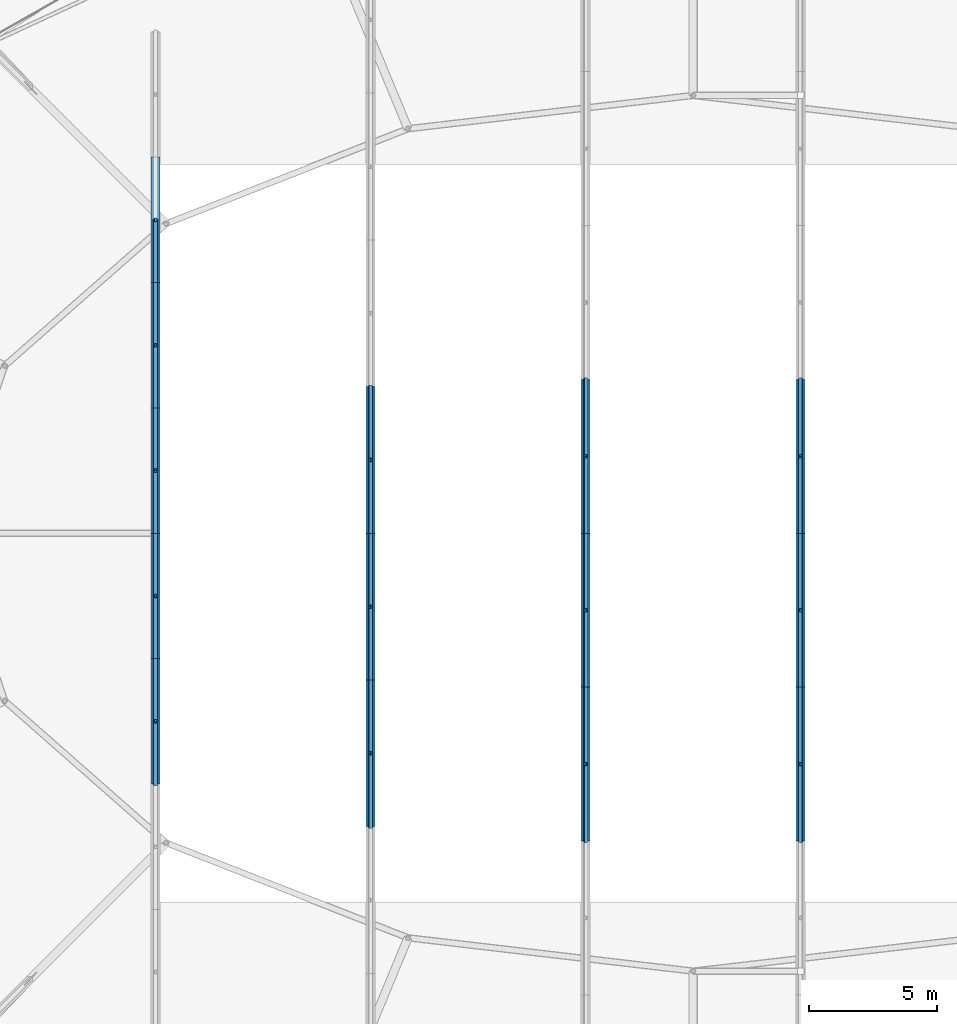
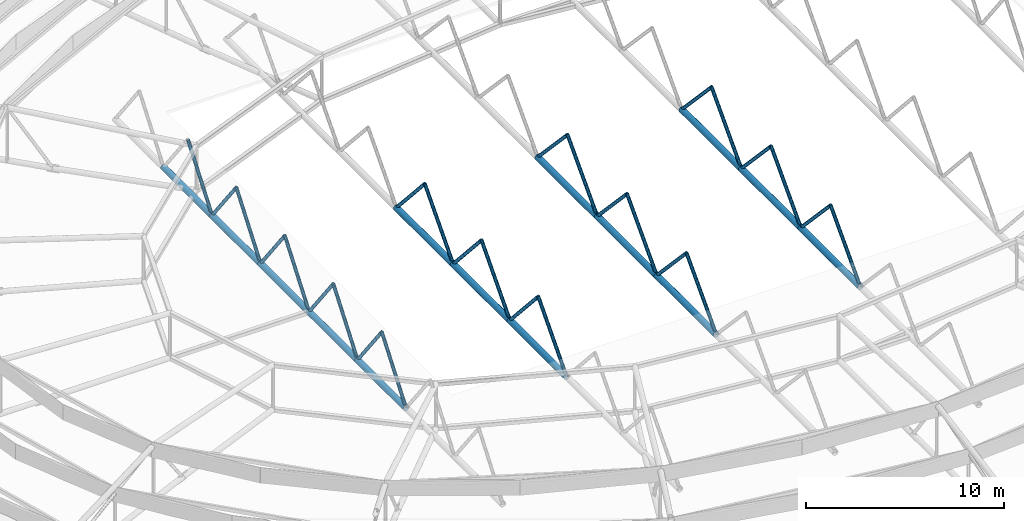
# One storey, part 23 of 134: 41 members.
"""IFC4 building model written with IfcOpenShell, lengths in metres."""

from ifc_helpers import new_model, si_unit, derived_unit, direction, frame, origin, origin_2d, place, context, subcontext, project, spatial, hollow_circle, extrude, material, material_profile, profile_set, type_object, element, save


model = new_model("IFC4")

# Units and contexts
model_context = context("Model", 3, precision=1e-05, world=origin(), true_north=direction((0.0, 1.0)))
body_context = subcontext(model_context, "Body", "Model", "MODEL_VIEW")
ifc_project = project(units=[si_unit("LENGTHUNIT", "METRE"), si_unit("AREAUNIT", "SQUARE_METRE"), si_unit("VOLUMEUNIT", "CUBIC_METRE"), si_unit("PLANEANGLEUNIT", "RADIAN"), si_unit("MASSUNIT", "GRAM", prefix="KILO"), derived_unit("THERMALTRANSMITTANCEUNIT", [(si_unit("MASSUNIT", "GRAM", prefix="KILO"), 1), (si_unit("TIMEUNIT", "SECOND"), -3), (si_unit("THERMODYNAMICTEMPERATUREUNIT", "KELVIN"), -1)])], contexts=[model_context])

# Site, building, storey
site_placement = place(None, origin())
site = spatial("IfcSite", under=ifc_project, at=site_placement, CompositionType="ELEMENT")
building_placement = place(site_placement, origin())
building = spatial("IfcBuilding", under=site, at=building_placement, Name="Kharveza Railside Sports Centre", CompositionType="ELEMENT")
storey_placement = place(building_placement, frame((0.0, 0.0, 12.89990234375)))
storey = spatial("IfcBuildingStorey", under=building, at=storey_placement, Name="L03", CompositionType="ELEMENT", Elevation=12.89990234375)

# Members
ifc_material = material(Name="Steel S355J2", Category="steel")
ifc_material_profile_1 = material_profile(ifc_material, hollow_circle(Radius=0.177734375, WallThickness=0.01611328125, at=origin_2d()), Name="CHS 355.6x16.0")
ifc_profile_set_1 = profile_set([ifc_material_profile_1], Name="Steel S355J2")
member_type_1 = type_object("IfcMemberType", Name="MB-CH01", PredefinedType="CHORD", material=ifc_profile_set_1)
member_1_placement = place(storey_placement, frame((33.60009765625, 40.606689453125, -0.0498046875), z_axis=(0.0, 1.0, 0.0), x_axis=(-1.0, 0.0, 0.0)))
element("IfcMember", 1, at=member_1_placement, inside=storey, type_object=member_type_1, Name="MB-V1TR-BC-1-3", PredefinedType="CHORD", context=body_context, shape_type="SweptSolid", body=[
    extrude(hollow_circle(Radius=0.177734375, WallThickness=0.01611328125, at=origin_2d()), origin(), (0.0, 0.0, 1.0), 4.896728515625),
])
member_2_placement = place(storey_placement, frame((33.60009765625, 45.50341796875, -0.0498046875), z_axis=(0.0, 1.0, 0.0), x_axis=(-1.0, 0.0, 0.0)))
element("IfcMember", 2, at=member_2_placement, inside=storey, type_object=member_type_1, Name="MB-V1TR-BC-1-4", PredefinedType="CHORD", context=body_context, shape_type="SweptSolid", body=[
    extrude(hollow_circle(Radius=0.177734375, WallThickness=0.01611328125, at=origin_2d()), origin(), (0.0, 0.0, 1.0), 4.896484375),
])
for number, where, z_axis, x_axis, name in (
    (3, (33.60009765625, 50.39990234375, -0.0498046875), (0.0, 1.0, 0.0), (-1.0, 0.0, 0.0), "MB-V1TR-BC-1-5"),
    (4, (33.60009765625, 55.296630859375, -0.0498046875), (0.0, 1.0, 0.0), (-1.0, 0.0, 0.0), "MB-V1TR-BC-1-6"),
):
    element("IfcMember", number, at=place(storey_placement, frame(where, z_axis=z_axis, x_axis=x_axis)), inside=storey, type_object=member_type_1, Name=name, PredefinedType="CHORD", context=body_context, shape_type="SweptSolid", body=[
        extrude(hollow_circle(Radius=0.177734375, WallThickness=0.01611328125, at=origin_2d()), origin(), (0.0, 0.0, 1.0), 4.896728515625),
    ])
member_3_placement = place(storey_placement, frame((33.60009765625, 60.193359375, -0.0498046875), z_axis=(0.0, 1.0, 0.0), x_axis=(-1.0, 0.0, 0.0)))
element("IfcMember", 5, at=member_3_placement, inside=storey, type_object=member_type_1, Name="MB-V1TR-BC-1-7", PredefinedType="CHORD", context=body_context, shape_type="SweptSolid", body=[
    extrude(hollow_circle(Radius=0.177734375, WallThickness=0.01611328125, at=origin_2d()), origin(), (0.0, 0.0, 1.0), 4.896484375),
])
for number, where, z_axis, x_axis, name in (
    (6, (42.0, 38.9423828125, -0.0498046875), (0.0, 1.0, 0.0), (-1.0, 0.0, 0.0), "MB-V1TR-BC-2-3"),
    (7, (42.0, 44.671142578125, -0.0498046875), (0.0, 1.0, 0.0), (-1.0, 0.0, 0.0), "MB-V1TR-BC-2-4"),
):
    element("IfcMember", number, at=place(storey_placement, frame(where, z_axis=z_axis, x_axis=x_axis)), inside=storey, type_object=member_type_1, Name=name, PredefinedType="CHORD", context=body_context, shape_type="SweptSolid", body=[
        extrude(hollow_circle(Radius=0.177734375, WallThickness=0.01611328125, at=origin_2d()), origin(), (0.0, 0.0, 1.0), 5.728759765625),
    ])
member_4_placement = place(storey_placement, frame((42.0, 50.39990234375, -0.0498046875), z_axis=(0.0, 1.0, 0.0), x_axis=(-1.0, 0.0, 0.0)))
element("IfcMember", 8, at=member_4_placement, inside=storey, type_object=member_type_1, Name="MB-V1TR-BC-2-5", PredefinedType="CHORD", context=body_context, shape_type="SweptSolid", body=[
    extrude(hollow_circle(Radius=0.177734375, WallThickness=0.01611328125, at=origin_2d()), origin(), (0.0, 0.0, 1.0), 5.72900390625),
])
member_5_placement = place(storey_placement, frame((50.39990234375, 38.380615234375, -0.0498046875), z_axis=(0.0, 1.0, 0.0), x_axis=(-1.0, 0.0, 0.0)))
element("IfcMember", 9, at=member_5_placement, inside=storey, type_object=member_type_1, Name="MB-V1TR-BC-3-3", PredefinedType="CHORD", context=body_context, shape_type="SweptSolid", body=[
    extrude(hollow_circle(Radius=0.177734375, WallThickness=0.01611328125, at=origin_2d()), origin(), (0.0, 0.0, 1.0), 6.009765625),
])
member_6_placement = place(storey_placement, frame((50.39990234375, 44.390380859375, -0.0498046875), z_axis=(0.0, 1.0, 0.0), x_axis=(-1.0, 0.0, 0.0)))
element("IfcMember", 10, at=member_6_placement, inside=storey, type_object=member_type_1, Name="MB-V1TR-BC-3-4", PredefinedType="CHORD", context=body_context, shape_type="SweptSolid", body=[
    extrude(hollow_circle(Radius=0.177734375, WallThickness=0.01611328125, at=origin_2d()), origin(), (0.0, 0.0, 1.0), 6.009521484375),
])
for number, where, z_axis, x_axis, name in (
    (11, (50.39990234375, 50.39990234375, -0.0498046875), (0.0, 1.0, 0.0), (-1.0, 0.0, 0.0), "MB-V1TR-BC-3-5"),
    (12, (58.800048828125, 38.380615234375, -0.0498046875), (0.0, 1.0, 0.0), (-1.0, 0.0, 0.0), "MB-V1TR-BC-4-3"),
):
    element("IfcMember", number, at=place(storey_placement, frame(where, z_axis=z_axis, x_axis=x_axis)), inside=storey, type_object=member_type_1, Name=name, PredefinedType="CHORD", context=body_context, shape_type="SweptSolid", body=[
        extrude(hollow_circle(Radius=0.177734375, WallThickness=0.01611328125, at=origin_2d()), origin(), (0.0, 0.0, 1.0), 6.009765625),
    ])
member_7_placement = place(storey_placement, frame((58.800048828125, 44.390380859375, -0.0498046875), z_axis=(0.0, 1.0, 0.0), x_axis=(-1.0, 0.0, 0.0)))
element("IfcMember", 13, at=member_7_placement, inside=storey, type_object=member_type_1, Name="MB-V1TR-BC-4-4", PredefinedType="CHORD", context=body_context, shape_type="SweptSolid", body=[
    extrude(hollow_circle(Radius=0.177734375, WallThickness=0.01611328125, at=origin_2d()), origin(), (0.0, 0.0, 1.0), 6.009521484375),
])
member_8_placement = place(storey_placement, frame((58.800048828125, 50.39990234375, -0.0498046875), z_axis=(0.0, 1.0, 0.0), x_axis=(-1.0, 0.0, 0.0)))
element("IfcMember", 14, at=member_8_placement, inside=storey, type_object=member_type_1, Name="MB-V1TR-BC-4-5", PredefinedType="CHORD", context=body_context, shape_type="SweptSolid", body=[
    extrude(hollow_circle(Radius=0.177734375, WallThickness=0.01611328125, at=origin_2d()), origin(), (0.0, 0.0, 1.0), 6.009765625),
])
ifc_material_profile_2 = material_profile(ifc_material, hollow_circle(Radius=0.096923828125, WallThickness=0.010009765625, at=origin_2d()), Name="CHS 193.7x10.0")
ifc_profile_set_2 = profile_set([ifc_material_profile_2], Name="Steel S355J2")
member_type_2 = type_object("IfcMemberType", Name="MB-ST02", PredefinedType="STRUT", material=ifc_profile_set_2)
member_9_placement = place(storey_placement, frame((33.60009765625, 40.606689453125, -0.0498046875), z_axis=(0.0, 0.607679486015, 0.794182373436), x_axis=(-1.0, 0.0, 0.0)))
element("IfcMember", 15, at=member_9_placement, inside=storey, type_object=member_type_2, Name="MB-V1TR-D1-1-3", PredefinedType="STRUT", context=body_context, shape_type="SweptSolid", body=[
    extrude(hollow_circle(Radius=0.096923828125, WallThickness=0.010009765625, at=origin_2d()), origin(), (0.0, 0.0, 1.0), 4.029296875),
])
for number, where, z_axis, x_axis, name in (
    (16, (33.60009765625, 43.05517578125, 3.150146484375), (0.0, 0.60764126683, -0.794211615909), (-1.0, 0.0, 0.0), "MB-V1TR-D2-1-3"),
    (17, (33.60009765625, 45.50341796875, -0.0498046875), (0.0, 0.60764126683, 0.794211615909), (-1.0, 0.0, 0.0), "MB-V1TR-D1-1-4"),
    (18, (33.60009765625, 47.95166015625, 3.150146484375), (0.0, 0.60764126683, -0.794211615909), (-1.0, 0.0, 0.0), "MB-V1TR-D2-1-4"),
):
    element("IfcMember", number, at=place(storey_placement, frame(where, z_axis=z_axis, x_axis=x_axis)), inside=storey, type_object=member_type_2, Name=name, PredefinedType="STRUT", context=body_context, shape_type="SweptSolid", body=[
        extrude(hollow_circle(Radius=0.096923828125, WallThickness=0.010009765625, at=origin_2d()), origin(), (0.0, 0.0, 1.0), 4.029052734375),
    ])
member_10_placement = place(storey_placement, frame((33.60009765625, 50.39990234375, -0.0498046875), z_axis=(0.0, 0.607679486015, 0.794182373436), x_axis=(-1.0, 0.0, 0.0)))
element("IfcMember", 19, at=member_10_placement, inside=storey, type_object=member_type_2, Name="MB-V1TR-D1-1-5", PredefinedType="STRUT", context=body_context, shape_type="SweptSolid", body=[
    extrude(hollow_circle(Radius=0.096923828125, WallThickness=0.010009765625, at=origin_2d()), origin(), (0.0, 0.0, 1.0), 4.029296875),
])
member_11_placement = place(storey_placement, frame((33.60009765625, 52.848388671875, 3.150146484375), z_axis=(0.0, 0.60764126683, -0.794211615909), x_axis=(-1.0, 0.0, 0.0)))
element("IfcMember", 20, at=member_11_placement, inside=storey, type_object=member_type_2, Name="MB-V1TR-D2-1-5", PredefinedType="STRUT", context=body_context, shape_type="SweptSolid", body=[
    extrude(hollow_circle(Radius=0.096923828125, WallThickness=0.010009765625, at=origin_2d()), origin(), (0.0, 0.0, 1.0), 4.029052734375),
])
member_12_placement = place(storey_placement, frame((33.60009765625, 55.296630859375, -0.0498046875), z_axis=(0.0, 0.607679486015, 0.794182373436), x_axis=(-1.0, 0.0, 0.0)))
element("IfcMember", 21, at=member_12_placement, inside=storey, type_object=member_type_2, Name="MB-V1TR-D1-1-6", PredefinedType="STRUT", context=body_context, shape_type="SweptSolid", body=[
    extrude(hollow_circle(Radius=0.096923828125, WallThickness=0.010009765625, at=origin_2d()), origin(), (0.0, 0.0, 1.0), 4.029296875),
])
for number, where, z_axis, x_axis, name in (
    (22, (33.60009765625, 57.7451171875, 3.150146484375), (0.0, 0.60764126683, -0.794211615909), (-1.0, 0.0, 0.0), "MB-V1TR-D2-1-6"),
    (23, (33.60009765625, 60.193359375, -0.0498046875), (0.0, 0.60764126683, 0.794211615909), (-1.0, 0.0, 0.0), "MB-V1TR-D1-1-7"),
):
    element("IfcMember", number, at=place(storey_placement, frame(where, z_axis=z_axis, x_axis=x_axis)), inside=storey, type_object=member_type_2, Name=name, PredefinedType="STRUT", context=body_context, shape_type="SweptSolid", body=[
        extrude(hollow_circle(Radius=0.096923828125, WallThickness=0.010009765625, at=origin_2d()), origin(), (0.0, 0.0, 1.0), 4.029052734375),
    ])
for number, where, z_axis, x_axis, name in (
    (24, (42.0, 38.9423828125, -0.0498046875), (0.0, 0.666942739043, 0.745108973801), (-1.0, 0.0, 0.0), "MB-V1TR-D1-2-3"),
    (25, (42.0, 41.806640625, 3.150146484375), (0.0, 0.666974298635, -0.745080723788), (-1.0, 0.0, 0.0), "MB-V1TR-D2-2-3"),
    (26, (42.0, 44.671142578125, -0.0498046875), (0.0, 0.666974298635, 0.745080723788), (-1.0, 0.0, 0.0), "MB-V1TR-D1-2-4"),
    (27, (42.0, 47.53564453125, 3.150146484375), (0.0, 0.666942739043, -0.745108973801), (-1.0, 0.0, 0.0), "MB-V1TR-D2-2-4"),
    (28, (42.0, 50.39990234375, -0.0498046875), (0.0, 0.666974298635, 0.745080723788), (-1.0, 0.0, 0.0), "MB-V1TR-D1-2-5"),
    (29, (42.0, 53.264404296875, 3.150146484375), (0.0, 0.666974298635, -0.745080723788), (-1.0, 0.0, 0.0), "MB-V1TR-D2-2-5"),
):
    element("IfcMember", number, at=place(storey_placement, frame(where, z_axis=z_axis, x_axis=x_axis)), inside=storey, type_object=member_type_2, Name=name, PredefinedType="STRUT", context=body_context, shape_type="SweptSolid", body=[
        extrude(hollow_circle(Radius=0.096923828125, WallThickness=0.010009765625, at=origin_2d()), origin(), (0.0, 0.0, 1.0), 4.294677734375),
    ])
for number, where, z_axis, x_axis, name in (
    (30, (50.39990234375, 38.380615234375, -0.0498046875), (0.0, 0.684538468084, 0.728976738802), (-1.0, 0.0, 0.0), "MB-V1TR-D1-3-3"),
    (31, (50.39990234375, 41.385498046875, 3.150146484375), (0.0, 0.684538468084, -0.728976738802), (-1.0, 0.0, 0.0), "MB-V1TR-D2-3-3"),
    (32, (50.39990234375, 44.390380859375, -0.0498046875), (0.0, 0.684538468084, 0.728976738802), (-1.0, 0.0, 0.0), "MB-V1TR-D1-3-4"),
):
    element("IfcMember", number, at=place(storey_placement, frame(where, z_axis=z_axis, x_axis=x_axis)), inside=storey, type_object=member_type_2, Name=name, PredefinedType="STRUT", context=body_context, shape_type="SweptSolid", body=[
        extrude(hollow_circle(Radius=0.096923828125, WallThickness=0.010009765625, at=origin_2d()), origin(), (0.0, 0.0, 1.0), 4.3896484375),
    ])
member_13_placement = place(storey_placement, frame((50.39990234375, 47.395263671875, 3.150146484375), z_axis=(0.0, 0.684508910936, -0.729004493024), x_axis=(-1.0, 0.0, 0.0)))
element("IfcMember", 33, at=member_13_placement, inside=storey, type_object=member_type_2, Name="MB-V1TR-D2-3-4", PredefinedType="STRUT", context=body_context, shape_type="SweptSolid", body=[
    extrude(hollow_circle(Radius=0.096923828125, WallThickness=0.010009765625, at=origin_2d()), origin(), (0.0, 0.0, 1.0), 4.389404296875),
])
for number, where, z_axis, x_axis, name in (
    (34, (50.39990234375, 50.39990234375, -0.0498046875), (0.0, 0.684538468084, 0.728976738802), (-1.0, 0.0, 0.0), "MB-V1TR-D1-3-5"),
    (35, (50.39990234375, 53.40478515625, 3.150146484375), (0.0, 0.684538468084, -0.728976738802), (-1.0, 0.0, 0.0), "MB-V1TR-D2-3-5"),
    (36, (58.800048828125, 38.380615234375, -0.0498046875), (0.0, 0.684538468084, 0.728976738802), (-1.0, 0.0, 0.0), "MB-V1TR-D1-4-3"),
    (37, (58.800048828125, 41.385498046875, 3.150146484375), (0.0, 0.684538468084, -0.728976738802), (-1.0, 0.0, 0.0), "MB-V1TR-D2-4-3"),
    (38, (58.800048828125, 44.390380859375, -0.0498046875), (0.0, 0.684538468084, 0.728976738802), (-1.0, 0.0, 0.0), "MB-V1TR-D1-4-4"),
):
    element("IfcMember", number, at=place(storey_placement, frame(where, z_axis=z_axis, x_axis=x_axis)), inside=storey, type_object=member_type_2, Name=name, PredefinedType="STRUT", context=body_context, shape_type="SweptSolid", body=[
        extrude(hollow_circle(Radius=0.096923828125, WallThickness=0.010009765625, at=origin_2d()), origin(), (0.0, 0.0, 1.0), 4.3896484375),
    ])
member_14_placement = place(storey_placement, frame((58.800048828125, 47.395263671875, 3.150146484375), z_axis=(0.0, 0.684508910936, -0.729004493024), x_axis=(-1.0, 0.0, 0.0)))
element("IfcMember", 39, at=member_14_placement, inside=storey, type_object=member_type_2, Name="MB-V1TR-D2-4-4", PredefinedType="STRUT", context=body_context, shape_type="SweptSolid", body=[
    extrude(hollow_circle(Radius=0.096923828125, WallThickness=0.010009765625, at=origin_2d()), origin(), (0.0, 0.0, 1.0), 4.389404296875),
])
for number, where, z_axis, x_axis, name in (
    (40, (58.800048828125, 50.39990234375, -0.0498046875), (0.0, 0.684538468084, 0.728976738802), (-1.0, 0.0, 0.0), "MB-V1TR-D1-4-5"),
    (41, (58.800048828125, 53.40478515625, 3.150146484375), (0.0, 0.684538468084, -0.728976738802), (-1.0, 0.0, 0.0), "MB-V1TR-D2-4-5"),
):
    element("IfcMember", number, at=place(storey_placement, frame(where, z_axis=z_axis, x_axis=x_axis)), inside=storey, type_object=member_type_2, Name=name, PredefinedType="STRUT", context=body_context, shape_type="SweptSolid", body=[
        extrude(hollow_circle(Radius=0.096923828125, WallThickness=0.010009765625, at=origin_2d()), origin(), (0.0, 0.0, 1.0), 4.3896484375),
    ])

save(model, "model.ifc")
